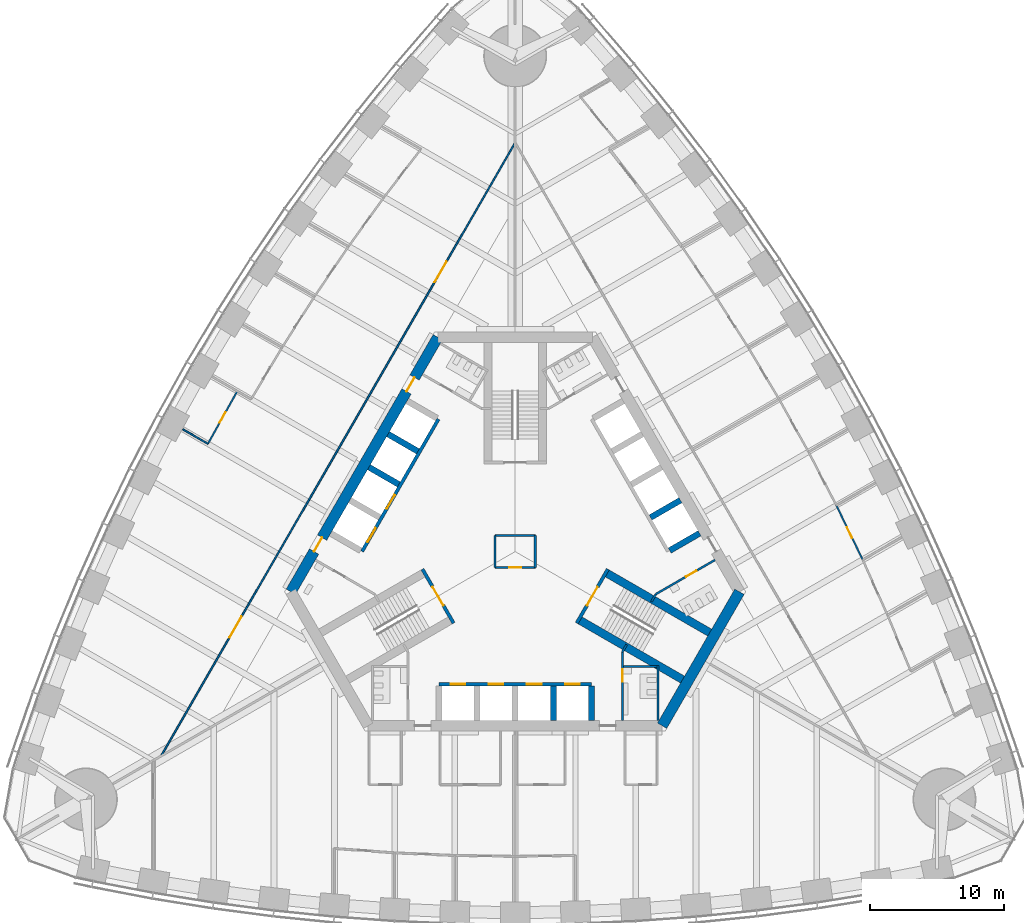
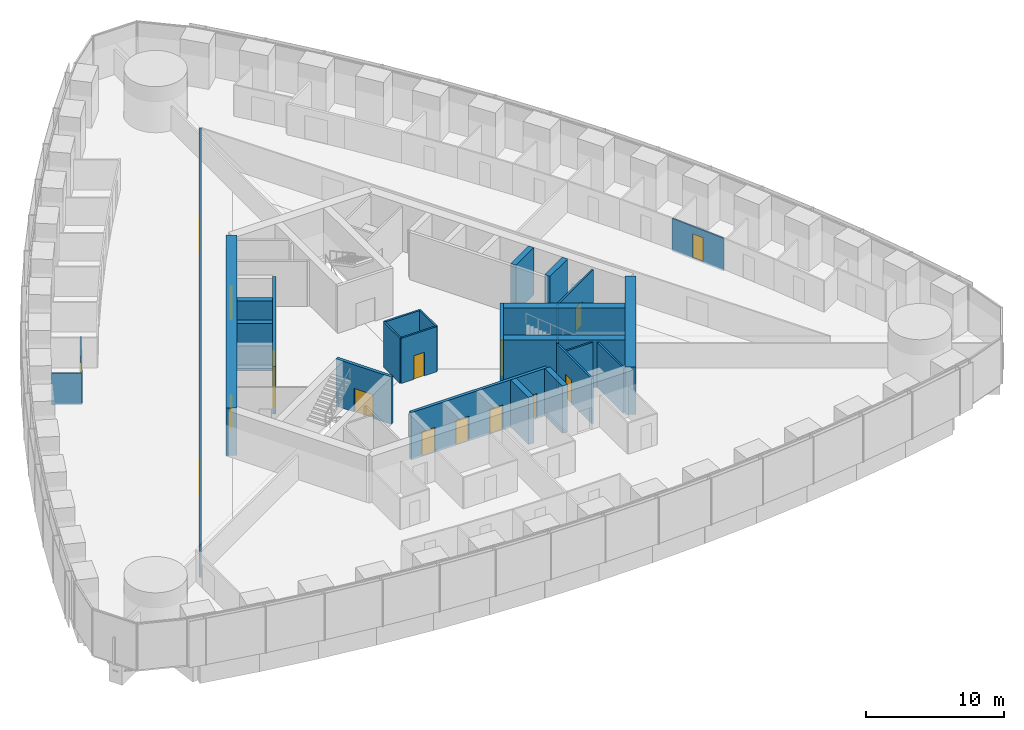
# One storey, part 11 of 18: 28 walls, 17 doors, 17 openings.
"""IFC4 building model written with IfcOpenShell, lengths in metres."""

from ifc_helpers import new_model, si_unit, direction, frame, frame_2d, origin, place, context, subcontext, project, spatial, rectangle, extrude, material, layer, layer_set, type_object, element, fill, save


model = new_model("IFC4")

# Units and contexts
model_context = context("Model", 3, precision=1e-05, world=origin(), true_north=direction((0.0, 1.0)))
body_context = subcontext(model_context, "Body", "Model", "MODEL_VIEW")
ifc_project = project(units=[si_unit("LENGTHUNIT", "METRE"), si_unit("AREAUNIT", "SQUARE_METRE"), si_unit("VOLUMEUNIT", "CUBIC_METRE"), si_unit("PLANEANGLEUNIT", "RADIAN"), si_unit("MASSUNIT", "GRAM", prefix="KILO")], contexts=[model_context])

# Site, building, storey
site_placement = place(None, origin())
site = spatial("IfcSite", under=ifc_project, at=site_placement, CompositionType="ELEMENT")
building_placement = place(site_placement, origin())
building = spatial("IfcBuilding", under=site, at=building_placement, Name="Trefoil Bronze Tower", CompositionType="ELEMENT")
storey_placement = place(building_placement, frame((0.0, 0.0, 75.300048828125)))
storey = spatial("IfcBuildingStorey", under=building, at=storey_placement, Name="L17", CompositionType="ELEMENT", Elevation=75.300048828125)

# Wall
ifc_material_1 = material(Name="Concrete B80", Category="concrete")
ifc_layer_1 = layer(ifc_material_1, 0.800048828125)
ifc_layer_set_1 = layer_set([ifc_layer_1], Name="Core wall 800")
wall_type_1 = type_object("IfcWallType", Name="Core wall 800", PredefinedType="SHEAR", material=ifc_layer_set_1)
wall_1_placement = place(storey_placement, frame((10.9697265625, -13.0, 0.0), z_axis=(0.0, 0.0, 1.0), x_axis=(0.499995765644, 0.866027848477, 0.0)))
element("IfcWall", 1, at=wall_1_placement, inside=storey, type_object=wall_type_1, Name="Core short wall 1 L17", PredefinedType="SHEAR", context=body_context, shape_type="SweptSolid", body=[
    extrude(rectangle(XDim=11.546875, YDim=0.800048828125, at=frame_2d((5.7734375, 0.0))), origin(), (0.0, 0.0, 1.0), 4.199951171875),
])

# Wall, openings, doors
wall_2_placement = place(storey_placement, frame((-5.7734375, 16.0, 0.0), z_axis=(0.0, 0.0, 1.0), x_axis=(-0.500002442456, -0.866023993627, 0.0)))
wall_2 = element("IfcWall", 2, at=wall_2_placement, inside=storey, type_object=wall_type_1, Name="Core long wall 3 L17", PredefinedType="SHEAR", context=body_context, shape_type="SweptSolid", body=[
    extrude(rectangle(XDim=21.939453125, YDim=0.800048828125, at=frame_2d((10.9697265625, 0.0))), origin(), (0.0, 0.0, 1.0), 4.199951171875),
])
opening_1_placement = place(wall_2_placement, frame((17.269775390625, 0.0, 0.0)))
opening_1 = element("IfcOpeningElement", 3, at=opening_1_placement, cuts=wall_2, Name="Opening D2", PredefinedType="OPENING", context=body_context, shape_type="SweptSolid", body=[
    extrude(rectangle(XDim=1.199951171875, YDim=2.10009765625, at=frame_2d((0.60009765625, 1.050048828125))), frame((0.0, 0.409912109375, 0.0), z_axis=(0.0, -1.0, 0.0), x_axis=(1.0, 0.0, 0.0)), (0.0, 0.0, 1.0), 0.820068359375),
])
opening_2_placement = place(wall_2_placement, frame((3.4697265625, 0.0, 0.0)))
opening_2 = element("IfcOpeningElement", 4, at=opening_2_placement, cuts=wall_2, Name="Opening D2", PredefinedType="OPENING", context=body_context, shape_type="SweptSolid", body=[
    extrude(rectangle(XDim=1.199951171875, YDim=2.10009765625, at=frame_2d((0.60009765625, 1.050048828125))), frame((0.0, 0.409912109375, 0.0), z_axis=(0.0, -1.0, 0.0), x_axis=(1.0, 0.0, 0.0)), (0.0, 0.0, 1.0), 0.820068359375),
])
ifc_material_2 = material(Name="Steel door", Category="steel")
door_type_1 = type_object("IfcDoorType", Name="Lobby door 1200", OperationType="SINGLE_SWING_RIGHT", PredefinedType="DOOR", material=ifc_material_2)
door_1_placement = place(opening_1_placement, origin())
door_1 = element("IfcDoor", 5, at=door_1_placement, inside=storey, type_object=door_type_1, Name="Lobby door F3+ L17", OperationType="SINGLE_SWING_RIGHT", OverallHeight=2.10009765625, OverallWidth=1.199951171875, PredefinedType="DOOR", context=body_context, shape_type="SweptSolid", body=[
    extrude(rectangle(XDim=1.199951171875, YDim=2.10009765625, at=frame_2d((0.60009765625, 1.050048828125))), frame((0.0, 0.02490234375, 0.0), z_axis=(0.0, -1.0, 0.0), x_axis=(1.0, 0.0, 0.0)), (0.0, 0.0, 1.0), 0.050048828125),
])
fill(opening_1, door_1)
door_2_placement = place(opening_2_placement, origin())
door_2 = element("IfcDoor", 6, at=door_2_placement, inside=storey, type_object=door_type_1, Name="Lobby door F3- L17", OperationType="SINGLE_SWING_LEFT", OverallHeight=2.10009765625, OverallWidth=1.199951171875, PredefinedType="DOOR", context=body_context, shape_type="SweptSolid", body=[
    extrude(rectangle(XDim=1.199951171875, YDim=2.10009765625, at=frame_2d((0.60009765625, 1.050048828125))), frame((0.0, 0.02490234375, 0.0), z_axis=(0.0, -1.0, 0.0), x_axis=(1.0, 0.0, 0.0)), (0.0, 0.0, 1.0), 0.050048828125),
])
fill(opening_2, door_2)

# Wall, opening, door
ifc_material_3 = material(Name="Glazed partition", Category="glass")
ifc_layer_2 = layer(ifc_material_3, 0.1201171875)
ifc_layer_set_2 = layer_set([ifc_layer_2], Name="Glazed partition 120")
wall_type_2 = type_object("IfcWallType", Name="Glazed partition 120", PredefinedType="PARTITIONING", material=ifc_layer_set_2)
wall_3_placement = place(storey_placement, frame((25.941162109375, -0.611328125, 0.0), z_axis=(0.0, 0.0, 1.0), x_axis=(-0.435857917556, 0.900015486369, 0.0)))
wall_3 = element("IfcWall", 7, at=wall_3_placement, inside=storey, type_object=wall_type_2, Name="Partition F2 L17", PredefinedType="PARTITIONING", context=body_context, shape_type="SweptSolid", body=[
    extrude(rectangle(XDim=4.511962890625, YDim=0.1201171875, at=frame_2d((2.255859375, 0.0))), origin(), (0.0, 0.0, 1.0), 2.89990234375),
])
opening_3_placement = place(wall_3_placement, frame((1.800048828125, 0.0, 0.14990234375)))
opening_3 = element("IfcOpeningElement", 8, at=opening_3_placement, cuts=wall_3, Name="Opening D8", PredefinedType="OPENING", context=body_context, shape_type="SweptSolid", body=[
    extrude(rectangle(XDim=0.89990234375, YDim=2.10009765625, at=frame_2d((0.449951171875, 1.050048828125))), frame((0.0, 0.070068359375, 0.0), z_axis=(0.0, -1.0, 0.0), x_axis=(1.0, 0.0, 0.0)), (0.0, 0.0, 1.0), 0.14013671875),
])
ifc_material_4 = material(Name="Timber door", Category="wood")
door_type_2 = type_object("IfcDoorType", Name="Office door 900", OperationType="SINGLE_SWING_LEFT", PredefinedType="DOOR", material=ifc_material_4)
door_3_placement = place(opening_3_placement, frame((0.89990234375, 0.0, 0.0), z_axis=(0.0, 0.0, 1.0), x_axis=(-1.0, 0.0, 0.0)))
door_3 = element("IfcDoor", 9, at=door_3_placement, inside=storey, type_object=door_type_2, Name="Office door F2 L17", OperationType="SINGLE_SWING_RIGHT", OverallHeight=2.10009765625, OverallWidth=0.89990234375, PredefinedType="DOOR", context=body_context, shape_type="SweptSolid", body=[
    extrude(rectangle(XDim=0.89990234375, YDim=2.10009765625, at=frame_2d((0.449951171875, 1.050048828125))), frame((0.0, 0.02490234375, 0.0), z_axis=(0.0, -1.0, 0.0), x_axis=(1.0, 0.0, 0.0)), (0.0, 0.0, 1.0), 0.050048828125),
])
fill(opening_3, door_3)

# Wall, openings, doors
wall_4_placement = place(storey_placement, frame((-0.016357421875, 30.491455078125, 0.0), z_axis=(0.0, 0.0, 1.0), x_axis=(-0.50000091641, -0.866024874695, 0.0)))
wall_4 = element("IfcWall", 10, at=wall_4_placement, inside=storey, type_object=wall_type_2, Name="Partition F3 L17", PredefinedType="PARTITIONING", context=body_context, shape_type="SweptSolid", body=[
    extrude(rectangle(XDim=52.79638671875, YDim=0.1201171875, at=frame_2d((26.398193359375, 0.0))), origin(), (0.0, 0.0, 1.0), 2.89990234375),
])
opening_4_placement = place(wall_4_placement, frame((10.199951171875, 0.0, 0.14990234375)))
opening_4 = element("IfcOpeningElement", 11, at=opening_4_placement, cuts=wall_4, Name="Opening D10", PredefinedType="OPENING", context=body_context, shape_type="SweptSolid", body=[
    extrude(rectangle(XDim=1.800048828125, YDim=2.10009765625, at=frame_2d((0.89990234375, 1.050048828125))), frame((0.0, 0.070068359375, 0.0), z_axis=(0.0, -1.0, 0.0), x_axis=(1.0, 0.0, 0.0)), (0.0, 0.0, 1.0), 0.14013671875),
])
opening_5_placement = place(wall_4_placement, frame((40.800048828125, 0.0, 0.14990234375)))
opening_5 = element("IfcOpeningElement", 12, at=opening_5_placement, cuts=wall_4, Name="Opening D10", PredefinedType="OPENING", context=body_context, shape_type="SweptSolid", body=[
    extrude(rectangle(XDim=1.800048828125, YDim=2.10009765625, at=frame_2d((0.89990234375, 1.050048828125))), frame((0.0, 0.070068359375, 0.0), z_axis=(0.0, -1.0, 0.0), x_axis=(1.0, 0.0, 0.0)), (0.0, 0.0, 1.0), 0.14013671875),
])
ifc_material_5 = material(Name="Timber door", Category="wood")
door_type_3 = type_object("IfcDoorType", Name="Double door 1800", OperationType="DOUBLE_DOOR_SINGLE_SWING", PredefinedType="DOOR", material=ifc_material_5)
door_4_placement = place(opening_4_placement, origin())
door_4 = element("IfcDoor", 13, at=door_4_placement, inside=storey, type_object=door_type_3, Name="Corridor door F3 L17", OperationType="DOUBLE_DOOR_SINGLE_SWING", OverallHeight=2.10009765625, OverallWidth=1.800048828125, PredefinedType="DOOR", context=body_context, shape_type="SweptSolid", body=[
    extrude(rectangle(XDim=1.800048828125, YDim=2.10009765625, at=frame_2d((0.89990234375, 1.050048828125))), frame((0.0, 0.02490234375, 0.0), z_axis=(0.0, -1.0, 0.0), x_axis=(1.0, 0.0, 0.0)), (0.0, 0.0, 1.0), 0.050048828125),
])
fill(opening_4, door_4)
door_5_placement = place(opening_5_placement, origin())
door_5 = element("IfcDoor", 14, at=door_5_placement, inside=storey, type_object=door_type_3, Name="Corridor door F3 L17", OperationType="DOUBLE_DOOR_SINGLE_SWING", OverallHeight=2.10009765625, OverallWidth=1.800048828125, PredefinedType="DOOR", context=body_context, shape_type="SweptSolid", body=[
    extrude(rectangle(XDim=1.800048828125, YDim=2.10009765625, at=frame_2d((0.89990234375, 1.050048828125))), frame((0.0, 0.02490234375, 0.0), z_axis=(0.0, -1.0, 0.0), x_axis=(1.0, 0.0, 0.0)), (0.0, 0.0, 1.0), 0.050048828125),
])
fill(opening_5, door_5)

# Wall, opening, door
wall_5_placement = place(storey_placement, frame((-20.740234375, 11.974365234375, 0.0), z_axis=(0.0, 0.0, 1.0), x_axis=(-0.487373854787, -0.873193406795, 0.0)))
wall_5 = element("IfcWall", 15, at=wall_5_placement, inside=storey, type_object=wall_type_2, Name="Partition F3 L17", PredefinedType="PARTITIONING", context=body_context, shape_type="SweptSolid", body=[
    extrude(rectangle(XDim=4.500244140625, YDim=0.1201171875, at=frame_2d((2.25, 0.0))), origin(), (0.0, 0.0, 1.0), 2.89990234375),
])
opening_6_placement = place(wall_5_placement, frame((1.800048828125, 0.0, 0.14990234375)))
opening_6 = element("IfcOpeningElement", 16, at=opening_6_placement, cuts=wall_5, Name="Opening D8", PredefinedType="OPENING", context=body_context, shape_type="SweptSolid", body=[
    extrude(rectangle(XDim=0.89990234375, YDim=2.10009765625, at=frame_2d((0.449951171875, 1.050048828125))), frame((0.0, 0.070068359375, 0.0), z_axis=(0.0, -1.0, 0.0), x_axis=(1.0, 0.0, 0.0)), (0.0, 0.0, 1.0), 0.14013671875),
])
door_6_placement = place(opening_6_placement, frame((0.89990234375, 0.0, 0.0), z_axis=(0.0, 0.0, 1.0), x_axis=(-1.0, 0.0, 0.0)))
door_6 = element("IfcDoor", 17, at=door_6_placement, inside=storey, type_object=door_type_2, Name="Pantry door F3 L17", OperationType="SINGLE_SWING_RIGHT", OverallHeight=2.10009765625, OverallWidth=0.89990234375, PredefinedType="DOOR", context=body_context, shape_type="SweptSolid", body=[
    extrude(rectangle(XDim=0.89990234375, YDim=2.10009765625, at=frame_2d((0.449951171875, 1.050048828125))), frame((0.0, 0.02490234375, 0.0), z_axis=(0.0, -1.0, 0.0), x_axis=(1.0, 0.0, 0.0)), (0.0, 0.0, 1.0), 0.050048828125),
])
fill(opening_6, door_6)

# Walls
wall_6_placement = place(storey_placement, frame((-22.93359375, 8.044677734375, 0.0), z_axis=(0.0, 0.0, 1.0), x_axis=(-0.866060019146, 0.499940039642, 0.0)))
element("IfcWall", 18, at=wall_6_placement, inside=storey, type_object=wall_type_2, Name="Partition F3 L17", PredefinedType="PARTITIONING", context=body_context, shape_type="SweptSolid", body=[
    extrude(rectangle(XDim=2.169189453125, YDim=0.1201171875, at=frame_2d((1.08447265625, 0.0))), origin(), (0.0, 0.0, 1.0), 2.800048828125),
])
ifc_material_6 = material(Name="Concrete B80", Category="concrete")
ifc_layer_3 = layer(ifc_material_6, 0.449951171875)
ifc_layer_set_3 = layer_set([ifc_layer_3], Name="Outrigger shaft wall 450")
wall_type_3 = type_object("IfcWallType", Name="Outrigger shaft wall 450", PredefinedType="SHEAR", material=ifc_layer_set_3)
for number, where, z_axis, x_axis, name in (
    (19, (2.85009765625, -10.02490234375, 0.0), (0.0, 0.0, 1.0), (0.0, -1.0, 0.0), "Lift shaft side wall A3 L17"),
    (20, (5.699951171875, -10.02490234375, 0.0), (0.0, 0.0, 1.0), (0.0, -1.0, 0.0), "Lift shaft side wall A4 L17"),
):
    element("IfcWall", number, at=place(storey_placement, frame(where, z_axis=z_axis, x_axis=x_axis)), inside=storey, type_object=wall_type_3, Name=name, PredefinedType="SHEAR", context=body_context, shape_type="SweptSolid", body=[
        extrude(rectangle(XDim=2.5751953125, YDim=0.449951171875, at=frame_2d((1.28759765625, 0.0))), origin(), (0.0, 0.0, 1.0), 4.199951171875),
    ])
for number, where, z_axis, x_axis, name in (
    (21, (11.531982421875, 0.076171875, 0.0), (0.0, 0.0, 1.0), (0.866005588531, 0.500034319456, 0.0), "Lift shaft side wall B0 L17"),
    (22, (10.10693359375, 2.54443359375, 0.0), (0.0, 0.0, 1.0), (0.866046643894, 0.499963209246, 0.0), "Lift shaft side wall B1 L17"),
    (23, (-7.2568359375, 7.480712890625, 0.0), (0.0, 0.0, 1.0), (-0.866046643894, 0.499963209246, 0.0), "Lift shaft side wall C1 L17"),
    (24, (-8.681884765625, 5.012451171875, 0.0), (0.0, 0.0, 1.0), (-0.866005588531, 0.500034319456, 0.0), "Lift shaft side wall C2 L17"),
):
    element("IfcWall", number, at=place(storey_placement, frame(where, z_axis=z_axis, x_axis=x_axis)), inside=storey, type_object=wall_type_3, Name=name, PredefinedType="SHEAR", context=body_context, shape_type="SweptSolid", body=[
        extrude(rectangle(XDim=2.574951171875, YDim=0.449951171875, at=frame_2d((1.28759765625, 0.0))), origin(), (0.0, 0.0, 1.0), 4.199951171875),
    ])

# Wall, opening, door
ifc_material_7 = material(Name="Gypsum board on steel studs", Category="steel")
ifc_layer_4 = layer(ifc_material_7, 0.14990234375)
ifc_layer_set_4 = layer_set([ifc_layer_4], Name="Partition 150")
wall_type_4 = type_object("IfcWallType", Name="Partition 150", PredefinedType="PARTITIONING", material=ifc_layer_set_4)
wall_7_placement = place(storey_placement, frame((8.0, -7.5, 0.0), z_axis=(0.0, 0.0, 1.0), x_axis=(0.0, -1.0, 0.0)))
wall_7 = element("IfcWall", 25, at=wall_7_placement, inside=storey, type_object=wall_type_4, Name="Passage wall F1+ L17", PredefinedType="PARTITIONING", context=body_context, shape_type="SweptSolid", body=[
    extrude(rectangle(XDim=5.10009765625, YDim=0.14990234375, at=frame_2d((2.550048828125, 0.0))), origin(), (0.0, 0.0, 1.0), 4.0),
])
opening_7_placement = place(wall_7_placement, frame((1.300048828125, 0.0, 0.0)))
opening_7 = element("IfcOpeningElement", 26, at=opening_7_placement, cuts=wall_7, Name="Opening D3", PredefinedType="OPENING", context=body_context, shape_type="SweptSolid", body=[
    extrude(rectangle(XDim=0.89990234375, YDim=2.10009765625, at=frame_2d((0.449951171875, 1.050048828125))), frame((0.0, 0.0849609375, 0.0), z_axis=(0.0, -1.0, 0.0), x_axis=(1.0, 0.0, 0.0)), (0.0, 0.0, 1.0), 0.169921875),
])
ifc_material_8 = material(Name="Timber door", Category="wood")
door_type_4 = type_object("IfcDoorType", Name="WC door 900", OperationType="SINGLE_SWING_LEFT", PredefinedType="DOOR", material=ifc_material_8)
door_7_placement = place(opening_7_placement, origin())
door_7 = element("IfcDoor", 27, at=door_7_placement, inside=storey, type_object=door_type_4, Name="WC (men) door L17", OperationType="SINGLE_SWING_LEFT", OverallHeight=2.10009765625, OverallWidth=0.89990234375, PredefinedType="DOOR", context=body_context, shape_type="SweptSolid", body=[
    extrude(rectangle(XDim=0.89990234375, YDim=2.10009765625, at=frame_2d((0.449951171875, 1.050048828125))), frame((0.0, 0.02490234375, 0.0), z_axis=(0.0, -1.0, 0.0), x_axis=(1.0, 0.0, 0.0)), (0.0, 0.0, 1.0), 0.050048828125),
])
fill(opening_7, door_7)

wall_8_placement = place(storey_placement, frame((10.4951171875, -3.17822265625, 0.0), z_axis=(0.0, 0.0, 1.0), x_axis=(0.86602216432, 0.500005610874, 0.0)))
wall_8 = element("IfcWall", 28, at=wall_8_placement, inside=storey, type_object=wall_type_4, Name="Passage wall F2- L17", PredefinedType="PARTITIONING", context=body_context, shape_type="SweptSolid", body=[
    extrude(rectangle(XDim=5.10009765625, YDim=0.14990234375, at=frame_2d((2.550048828125, 0.0))), origin(), (0.0, 0.0, 1.0), 4.0),
])
opening_8_placement = place(wall_8_placement, frame((2.60009765625, 0.0, 0.0)))
opening_8 = element("IfcOpeningElement", 29, at=opening_8_placement, cuts=wall_8, Name="Opening D3", PredefinedType="OPENING", context=body_context, shape_type="SweptSolid", body=[
    extrude(rectangle(XDim=0.89990234375, YDim=2.10009765625, at=frame_2d((0.449951171875, 1.050048828125))), frame((0.0, 0.0849609375, 0.0), z_axis=(0.0, -1.0, 0.0), x_axis=(1.0, 0.0, 0.0)), (0.0, 0.0, 1.0), 0.169921875),
])
door_8_placement = place(opening_8_placement, frame((0.89990234375, 0.0, 0.0), z_axis=(0.0, 0.0, 1.0), x_axis=(-1.0, 0.0, 0.0)))
door_8 = element("IfcDoor", 30, at=door_8_placement, inside=storey, type_object=door_type_4, Name="WC (women) door L17", OperationType="SINGLE_SWING_LEFT", OverallHeight=2.10009765625, OverallWidth=0.89990234375, PredefinedType="DOOR", context=body_context, shape_type="SweptSolid", body=[
    extrude(rectangle(XDim=0.89990234375, YDim=2.10009765625, at=frame_2d((0.449951171875, 1.050048828125))), frame((0.0, 0.02490234375, 0.0), z_axis=(0.0, -1.0, 0.0), x_axis=(1.0, 0.0, 0.0)), (0.0, 0.0, 1.0), 0.050048828125),
])
fill(opening_8, door_8)

# Walls
for number, where, z_axis, x_axis, name in (
    (31, (8.0, -7.5, 0.0), (0.0, 0.0, 1.0), (0.499842556608, 0.866116284689, 0.0), "WC wall ST1-1 L17"),
    (32, (10.4951171875, -3.17822265625, 0.0), (0.0, 0.0, 1.0), (-0.499842556608, -0.866116284689, 0.0), "WC wall ST1+1 L17"),
):
    element("IfcWall", number, at=place(storey_placement, frame(where, z_axis=z_axis, x_axis=x_axis)), inside=storey, type_object=wall_type_4, Name=name, PredefinedType="PARTITIONING", context=body_context, shape_type="SweptSolid", body=[
        extrude(rectangle(XDim=0.645263671875, YDim=0.14990234375, at=frame_2d((0.32275390625, 0.0))), origin(), (0.0, 0.0, 1.0), 4.0),
    ])
wall_9_placement = place(storey_placement, frame((10.659912109375, -8.5, 0.0), z_axis=(0.0, 0.0, 1.0), x_axis=(0.0, -1.0, 0.0)))
element("IfcWall", 33, at=wall_9_placement, inside=storey, type_object=wall_type_4, Name="WC partition WC (men) L17", PredefinedType="PARTITIONING", context=body_context, shape_type="SweptSolid", body=[
    extrude(rectangle(XDim=4.10009765625, YDim=0.14990234375, at=frame_2d((2.050048828125, 0.0))), origin(), (0.0, 0.0, 1.0), 4.0),
])
wall_10_placement = place(storey_placement, frame((8.074951171875, -8.574951171875, 0.0), z_axis=(0.0, 0.0, 1.0), x_axis=(1.0, 0.0, 0.0)))
element("IfcWall", 34, at=wall_10_placement, inside=storey, type_object=wall_type_4, Name="WC partition WC (men) L17", PredefinedType="PARTITIONING", context=body_context, shape_type="SweptSolid", body=[
    extrude(rectangle(XDim=2.510009765625, YDim=0.14990234375, at=frame_2d((1.2548828125, 0.0))), origin(), (0.0, 0.0, 1.0), 4.0),
])

# Wall, opening, door
ifc_material_9 = material(Name="Gypsum board on steel studs", Category="steel")
ifc_layer_5 = layer(ifc_material_9, 0.14990234375)
ifc_layer_set_5 = layer_set([ifc_layer_5], Name="Riser wall 150")
wall_type_5 = type_object("IfcWallType", Name="Riser wall 150", PredefinedType="PARTITIONING", material=ifc_layer_set_5)
wall_11_placement = place(storey_placement, frame((-1.5, -1.199951171875, 0.0), z_axis=(0.0, 0.0, 1.0), x_axis=(1.0, 0.0, 0.0)))
wall_11 = element("IfcWall", 35, at=wall_11_placement, inside=storey, type_object=wall_type_5, Name="Riser wall L17", PredefinedType="PARTITIONING", context=body_context, shape_type="SweptSolid", body=[
    extrude(rectangle(XDim=3.0, YDim=0.14990234375, at=frame_2d((1.5, 0.0))), origin(), (0.0, 0.0, 1.0), 4.0),
])
opening_9_placement = place(wall_11_placement, frame((1.050048828125, 0.0, 0.0)))
opening_9 = element("IfcOpeningElement", 36, at=opening_9_placement, cuts=wall_11, Name="Opening D4", PredefinedType="OPENING", context=body_context, shape_type="SweptSolid", body=[
    extrude(rectangle(XDim=0.89990234375, YDim=2.10009765625, at=frame_2d((0.449951171875, 1.050048828125))), frame((0.0, 0.0849609375, 0.0), z_axis=(0.0, -1.0, 0.0), x_axis=(1.0, 0.0, 0.0)), (0.0, 0.0, 1.0), 0.169921875),
])
ifc_material_10 = material(Name="Steel door", Category="steel")
door_type_5 = type_object("IfcDoorType", Name="Riser door 900", OperationType="SINGLE_SWING_LEFT", PredefinedType="DOOR", material=ifc_material_10)
door_9_placement = place(opening_9_placement, frame((0.89990234375, 0.0, 0.0), z_axis=(0.0, 0.0, 1.0), x_axis=(-1.0, 0.0, 0.0)))
door_9 = element("IfcDoor", 37, at=door_9_placement, inside=storey, type_object=door_type_5, Name="Riser door L17", OperationType="SINGLE_SWING_LEFT", OverallHeight=2.10009765625, OverallWidth=0.89990234375, PredefinedType="DOOR", context=body_context, shape_type="SweptSolid", body=[
    extrude(rectangle(XDim=0.89990234375, YDim=2.10009765625, at=frame_2d((0.449951171875, 1.050048828125))), frame((0.0, 0.02490234375, 0.0), z_axis=(0.0, -1.0, 0.0), x_axis=(1.0, 0.0, 0.0)), (0.0, 0.0, 1.0), 0.050048828125),
])
fill(opening_9, door_9)

# Walls
wall_12_placement = place(storey_placement, frame((1.5, -1.199951171875, 0.0), z_axis=(0.0, 0.0, 1.0), x_axis=(0.0, 1.0, 0.0)))
element("IfcWall", 38, at=wall_12_placement, inside=storey, type_object=wall_type_5, Name="Riser wall L17", PredefinedType="PARTITIONING", context=body_context, shape_type="SweptSolid", body=[
    extrude(rectangle(XDim=2.39990234375, YDim=0.14990234375, at=frame_2d((1.199951171875, 0.0))), origin(), (0.0, 0.0, 1.0), 4.0),
])
wall_13_placement = place(storey_placement, frame((1.5, 1.199951171875, 0.0), z_axis=(0.0, 0.0, 1.0), x_axis=(-1.0, 0.0, 0.0)))
element("IfcWall", 39, at=wall_13_placement, inside=storey, type_object=wall_type_5, Name="Riser wall L17", PredefinedType="PARTITIONING", context=body_context, shape_type="SweptSolid", body=[
    extrude(rectangle(XDim=3.0, YDim=0.14990234375, at=frame_2d((1.5, 0.0))), origin(), (0.0, 0.0, 1.0), 4.0),
])
wall_14_placement = place(storey_placement, frame((-1.5, 1.199951171875, 0.0), z_axis=(0.0, 0.0, 1.0), x_axis=(0.0, -1.0, 0.0)))
element("IfcWall", 40, at=wall_14_placement, inside=storey, type_object=wall_type_5, Name="Riser wall L17", PredefinedType="PARTITIONING", context=body_context, shape_type="SweptSolid", body=[
    extrude(rectangle(XDim=2.39990234375, YDim=0.14990234375, at=frame_2d((1.199951171875, 0.0))), origin(), (0.0, 0.0, 1.0), 4.0),
])

# Wall, openings, doors
ifc_material_11 = material(Name="Concrete B80", Category="concrete")
ifc_layer_6 = layer(ifc_material_11, 0.25)
ifc_layer_set_6 = layer_set([ifc_layer_6], Name="Shaft wall 250")
wall_type_6 = type_object("IfcWallType", Name="Shaft wall 250", PredefinedType="SHEAR", material=ifc_layer_set_6)
wall_15_placement = place(storey_placement, frame((-5.699951171875, -9.89990234375, 0.0), z_axis=(0.0, 0.0, 1.0), x_axis=(1.0, 0.0, 0.0)))
wall_15 = element("IfcWall", 41, at=wall_15_placement, inside=storey, type_object=wall_type_6, Name="Lift shaft front wall A L17", PredefinedType="SHEAR", context=body_context, shape_type="SweptSolid", body=[
    extrude(rectangle(XDim=11.39990234375, YDim=0.25, at=frame_2d((5.699951171875, 0.0))), origin(), (0.0, 0.0, 1.0), 4.199951171875),
])
opening_10_placement = place(wall_15_placement, frame((0.875, 0.0, 0.0)))
opening_10 = element("IfcOpeningElement", 42, at=opening_10_placement, cuts=wall_15, Name="Opening LD-P11", PredefinedType="OPENING", context=body_context, shape_type="SweptSolid", body=[
    extrude(rectangle(XDim=1.10009765625, YDim=2.199951171875, at=frame_2d((0.550048828125, 1.10009765625))), frame((0.0, 0.135009765625, 0.0), z_axis=(0.0, -1.0, 0.0), x_axis=(1.0, 0.0, 0.0)), (0.0, 0.0, 1.0), 0.27001953125),
])
opening_11_placement = place(wall_15_placement, frame((3.72509765625, 0.0, 0.0)))
opening_11 = element("IfcOpeningElement", 43, at=opening_11_placement, cuts=wall_15, Name="Opening LD-P12", PredefinedType="OPENING", context=body_context, shape_type="SweptSolid", body=[
    extrude(rectangle(XDim=1.10009765625, YDim=2.199951171875, at=frame_2d((0.550048828125, 1.10009765625))), frame((0.0, 0.135009765625, 0.0), z_axis=(0.0, -1.0, 0.0), x_axis=(1.0, 0.0, 0.0)), (0.0, 0.0, 1.0), 0.27001953125),
])
opening_12_placement = place(wall_15_placement, frame((6.574951171875, 0.0, 0.0)))
opening_12 = element("IfcOpeningElement", 44, at=opening_12_placement, cuts=wall_15, Name="Opening LD-P13", PredefinedType="OPENING", context=body_context, shape_type="SweptSolid", body=[
    extrude(rectangle(XDim=1.10009765625, YDim=2.199951171875, at=frame_2d((0.550048828125, 1.10009765625))), frame((0.0, 0.135009765625, 0.0), z_axis=(0.0, -1.0, 0.0), x_axis=(1.0, 0.0, 0.0)), (0.0, 0.0, 1.0), 0.27001953125),
])
opening_13_placement = place(wall_15_placement, frame((9.425048828125, 0.0, 0.0)))
opening_13 = element("IfcOpeningElement", 45, at=opening_13_placement, cuts=wall_15, Name="Opening LD-P14", PredefinedType="OPENING", context=body_context, shape_type="SweptSolid", body=[
    extrude(rectangle(XDim=1.10009765625, YDim=2.199951171875, at=frame_2d((0.550048828125, 1.10009765625))), frame((0.0, 0.135009765625, 0.0), z_axis=(0.0, -1.0, 0.0), x_axis=(1.0, 0.0, 0.0)), (0.0, 0.0, 1.0), 0.27001953125),
])
ifc_material_12 = material(Name="Steel door", Category="steel")
door_type_6 = type_object("IfcDoorType", Name="Lift landing door 1100", OperationType="DOUBLE_DOOR_SLIDING", PredefinedType="DOOR", material=ifc_material_12)
door_10_placement = place(opening_10_placement, origin())
door_10 = element("IfcDoor", 46, at=door_10_placement, inside=storey, type_object=door_type_6, Name="Lift P11 landing door L17", OperationType="DOUBLE_DOOR_SLIDING", OverallHeight=2.199951171875, OverallWidth=1.10009765625, PredefinedType="DOOR", context=body_context, shape_type="SweptSolid", body=[
    extrude(rectangle(XDim=1.10009765625, YDim=2.199951171875, at=frame_2d((0.550048828125, 1.10009765625))), frame((0.0, 0.02490234375, 0.0), z_axis=(0.0, -1.0, 0.0), x_axis=(1.0, 0.0, 0.0)), (0.0, 0.0, 1.0), 0.050048828125),
])
fill(opening_10, door_10)
door_11_placement = place(opening_11_placement, origin())
door_11 = element("IfcDoor", 47, at=door_11_placement, inside=storey, type_object=door_type_6, Name="Lift P12 landing door L17", OperationType="DOUBLE_DOOR_SLIDING", OverallHeight=2.199951171875, OverallWidth=1.10009765625, PredefinedType="DOOR", context=body_context, shape_type="SweptSolid", body=[
    extrude(rectangle(XDim=1.10009765625, YDim=2.199951171875, at=frame_2d((0.550048828125, 1.10009765625))), frame((0.0, 0.02490234375, 0.0), z_axis=(0.0, -1.0, 0.0), x_axis=(1.0, 0.0, 0.0)), (0.0, 0.0, 1.0), 0.050048828125),
])
fill(opening_11, door_11)
door_12_placement = place(opening_12_placement, origin())
door_12 = element("IfcDoor", 48, at=door_12_placement, inside=storey, type_object=door_type_6, Name="Lift P13 landing door L17", OperationType="DOUBLE_DOOR_SLIDING", OverallHeight=2.199951171875, OverallWidth=1.10009765625, PredefinedType="DOOR", context=body_context, shape_type="SweptSolid", body=[
    extrude(rectangle(XDim=1.10009765625, YDim=2.199951171875, at=frame_2d((0.550048828125, 1.10009765625))), frame((0.0, 0.02490234375, 0.0), z_axis=(0.0, -1.0, 0.0), x_axis=(1.0, 0.0, 0.0)), (0.0, 0.0, 1.0), 0.050048828125),
])
fill(opening_12, door_12)
door_13_placement = place(opening_13_placement, origin())
door_13 = element("IfcDoor", 49, at=door_13_placement, inside=storey, type_object=door_type_6, Name="Lift P14 landing door L17", OperationType="DOUBLE_DOOR_SLIDING", OverallHeight=2.199951171875, OverallWidth=1.10009765625, PredefinedType="DOOR", context=body_context, shape_type="SweptSolid", body=[
    extrude(rectangle(XDim=1.10009765625, YDim=2.199951171875, at=frame_2d((0.550048828125, 1.10009765625))), frame((0.0, 0.02490234375, 0.0), z_axis=(0.0, -1.0, 0.0), x_axis=(1.0, 0.0, 0.0)), (0.0, 0.0, 1.0), 0.050048828125),
])
fill(opening_13, door_13)

wall_16_placement = place(storey_placement, frame((-5.7236328125, 9.88623046875, 0.0), z_axis=(0.0, 0.0, 1.0), x_axis=(-0.500001763848, -0.866024385424, 0.0)))
wall_16 = element("IfcWall", 50, at=wall_16_placement, inside=storey, type_object=wall_type_6, Name="Lift shaft front wall C L17", PredefinedType="SHEAR", context=body_context, shape_type="SweptSolid", body=[
    extrude(rectangle(XDim=11.39990234375, YDim=0.25, at=frame_2d((5.699951171875, 0.0))), origin(), (0.0, 0.0, 1.0), 4.199951171875),
])
opening_14_placement = place(wall_16_placement, frame((6.52490234375, 0.0, 0.0)))
opening_14 = element("IfcOpeningElement", 51, at=opening_14_placement, cuts=wall_16, Name="Opening LD-FL1", PredefinedType="OPENING", context=body_context, shape_type="SweptSolid", body=[
    extrude(rectangle(XDim=1.199951171875, YDim=2.199951171875, at=frame_2d((0.60009765625, 1.10009765625))), frame((0.0, 0.135009765625, 0.0), z_axis=(0.0, -1.0, 0.0), x_axis=(1.0, 0.0, 0.0)), (0.0, 0.0, 1.0), 0.27001953125),
])
opening_15_placement = place(wall_16_placement, frame((9.375, 0.0, 0.0)))
opening_15 = element("IfcOpeningElement", 52, at=opening_15_placement, cuts=wall_16, Name="Opening LD-FL2", PredefinedType="OPENING", context=body_context, shape_type="SweptSolid", body=[
    extrude(rectangle(XDim=1.199951171875, YDim=2.199951171875, at=frame_2d((0.60009765625, 1.10009765625))), frame((0.0, 0.135009765625, 0.0), z_axis=(0.0, -1.0, 0.0), x_axis=(1.0, 0.0, 0.0)), (0.0, 0.0, 1.0), 0.27001953125),
])
ifc_material_13 = material(Name="Steel door", Category="steel")
door_type_7 = type_object("IfcDoorType", Name="Lift landing door 1200", OperationType="DOUBLE_DOOR_SLIDING", PredefinedType="DOOR", material=ifc_material_13)
door_14_placement = place(opening_14_placement, origin())
door_14 = element("IfcDoor", 53, at=door_14_placement, inside=storey, type_object=door_type_7, Name="Lift FL1 landing door L17", OperationType="DOUBLE_DOOR_SLIDING", OverallHeight=2.199951171875, OverallWidth=1.199951171875, PredefinedType="DOOR", context=body_context, shape_type="SweptSolid", body=[
    extrude(rectangle(XDim=1.199951171875, YDim=2.199951171875, at=frame_2d((0.60009765625, 1.10009765625))), frame((0.0, 0.02490234375, 0.0), z_axis=(0.0, -1.0, 0.0), x_axis=(1.0, 0.0, 0.0)), (0.0, 0.0, 1.0), 0.050048828125),
])
fill(opening_14, door_14)
door_15_placement = place(opening_15_placement, origin())
door_15 = element("IfcDoor", 54, at=door_15_placement, inside=storey, type_object=door_type_7, Name="Lift FL2 landing door L17", OperationType="DOUBLE_DOOR_SLIDING", OverallHeight=2.199951171875, OverallWidth=1.199951171875, PredefinedType="DOOR", context=body_context, shape_type="SweptSolid", body=[
    extrude(rectangle(XDim=1.199951171875, YDim=2.199951171875, at=frame_2d((0.60009765625, 1.10009765625))), frame((0.0, 0.02490234375, 0.0), z_axis=(0.0, -1.0, 0.0), x_axis=(1.0, 0.0, 0.0)), (0.0, 0.0, 1.0), 0.050048828125),
])
fill(opening_15, door_15)

# Wall, opening, door
wall_17_placement = place(storey_placement, frame((4.5966796875, -5.338623046875, 0.0), z_axis=(0.0, 0.0, 1.0), x_axis=(0.499984536904, 0.866034331223, 0.0)))
wall_17 = element("IfcWall", 55, at=wall_17_placement, inside=storey, type_object=wall_type_6, Name="Stair end wall ST1 L17", PredefinedType="SHEAR", context=body_context, shape_type="SweptSolid", body=[
    extrude(rectangle(XDim=4.650146484375, YDim=0.25, at=frame_2d((2.3251953125, 0.0))), origin(), (0.0, 0.0, 1.0), 4.199951171875),
])
opening_16_placement = place(wall_17_placement, frame((1.52490234375, 0.0, 0.0)))
opening_16 = element("IfcOpeningElement", 56, at=opening_16_placement, cuts=wall_17, Name="Opening D1", PredefinedType="OPENING", context=body_context, shape_type="SweptSolid", body=[
    extrude(rectangle(XDim=1.60009765625, YDim=2.10009765625, at=frame_2d((0.800048828125, 1.050048828125))), frame((0.0, 0.135009765625, 0.0), z_axis=(0.0, -1.0, 0.0), x_axis=(1.0, 0.0, 0.0)), (0.0, 0.0, 1.0), 0.27001953125),
])
ifc_material_14 = material(Name="Steel door", Category="steel")
door_type_8 = type_object("IfcDoorType", Name="Stair door 1600", OperationType="DOUBLE_DOOR_SINGLE_SWING", PredefinedType="DOOR", material=ifc_material_14)
door_16_placement = place(opening_16_placement, frame((1.60009765625, 0.0, 0.0), z_axis=(0.0, 0.0, 1.0), x_axis=(-1.0, 0.0, 0.0)))
door_16 = element("IfcDoor", 57, at=door_16_placement, inside=storey, type_object=door_type_8, Name="Stair door ST1 L17", OperationType="DOUBLE_DOOR_SINGLE_SWING", OverallHeight=2.10009765625, OverallWidth=1.60009765625, PredefinedType="DOOR", context=body_context, shape_type="SweptSolid", body=[
    extrude(rectangle(XDim=1.60009765625, YDim=2.10009765625, at=frame_2d((0.800048828125, 1.050048828125))), frame((0.0, 0.02490234375, 0.0), z_axis=(0.0, -1.0, 0.0), x_axis=(1.0, 0.0, 0.0)), (0.0, 0.0, 1.0), 0.050048828125),
])
fill(opening_16, door_16)

wall_18_placement = place(storey_placement, frame((-6.921630859375, -1.3115234375, 0.0), z_axis=(0.0, 0.0, 1.0), x_axis=(0.499984536904, -0.866034331223, 0.0)))
wall_18 = element("IfcWall", 58, at=wall_18_placement, inside=storey, type_object=wall_type_6, Name="Stair end wall ST3 L17", PredefinedType="SHEAR", context=body_context, shape_type="SweptSolid", body=[
    extrude(rectangle(XDim=4.650146484375, YDim=0.25, at=frame_2d((2.3251953125, 0.0))), origin(), (0.0, 0.0, 1.0), 4.199951171875),
])
opening_17_placement = place(wall_18_placement, frame((1.52490234375, 0.0, 0.0)))
opening_17 = element("IfcOpeningElement", 59, at=opening_17_placement, cuts=wall_18, Name="Opening D1", PredefinedType="OPENING", context=body_context, shape_type="SweptSolid", body=[
    extrude(rectangle(XDim=1.60009765625, YDim=2.10009765625, at=frame_2d((0.800048828125, 1.050048828125))), frame((0.0, 0.135009765625, 0.0), z_axis=(0.0, -1.0, 0.0), x_axis=(1.0, 0.0, 0.0)), (0.0, 0.0, 1.0), 0.27001953125),
])
door_17_placement = place(opening_17_placement, frame((1.60009765625, 0.0, 0.0), z_axis=(0.0, 0.0, 1.0), x_axis=(-1.0, 0.0, 0.0)))
door_17 = element("IfcDoor", 60, at=door_17_placement, inside=storey, type_object=door_type_8, Name="Stair door ST3 L17", OperationType="DOUBLE_DOOR_SINGLE_SWING", OverallHeight=2.10009765625, OverallWidth=1.60009765625, PredefinedType="DOOR", context=body_context, shape_type="SweptSolid", body=[
    extrude(rectangle(XDim=1.60009765625, YDim=2.10009765625, at=frame_2d((0.800048828125, 1.050048828125))), frame((0.0, 0.02490234375, 0.0), z_axis=(0.0, -1.0, 0.0), x_axis=(1.0, 0.0, 0.0)), (0.0, 0.0, 1.0), 0.050048828125),
])
fill(opening_17, door_17)

# Walls
ifc_material_15 = material(Name="Concrete B80", Category="concrete")
ifc_layer_7 = layer(ifc_material_15, 0.60009765625)
ifc_layer_set_7 = layer_set([ifc_layer_7], Name="Stair wall 600")
wall_type_7 = type_object("IfcWallType", Name="Stair wall 600", PredefinedType="SHEAR", material=ifc_layer_set_7)
for number, where, z_axis, x_axis, name in (
    (61, (4.638427734375, -5.01611328125, 0.0), (0.0, 0.0, 1.0), (0.866019375473, -0.500010441196, 0.0), "Stair wall ST1 L17"),
    (62, (6.663330078125, -1.5087890625, 0.0), (0.0, 0.0, 1.0), (0.866019375473, -0.500010441196, 0.0), "Stair wall ST1 L17"),
):
    element("IfcWall", number, at=place(storey_placement, frame(where, z_axis=z_axis, x_axis=x_axis)), inside=storey, type_object=wall_type_7, Name=name, PredefinedType="SHEAR", context=body_context, shape_type="SweptSolid", body=[
        extrude(rectangle(XDim=9.074951171875, YDim=0.60009765625, at=frame_2d((4.53759765625, 0.0))), origin(), (0.0, 0.0, 1.0), 4.199951171875),
    ])

save(model, "model.ifc")
